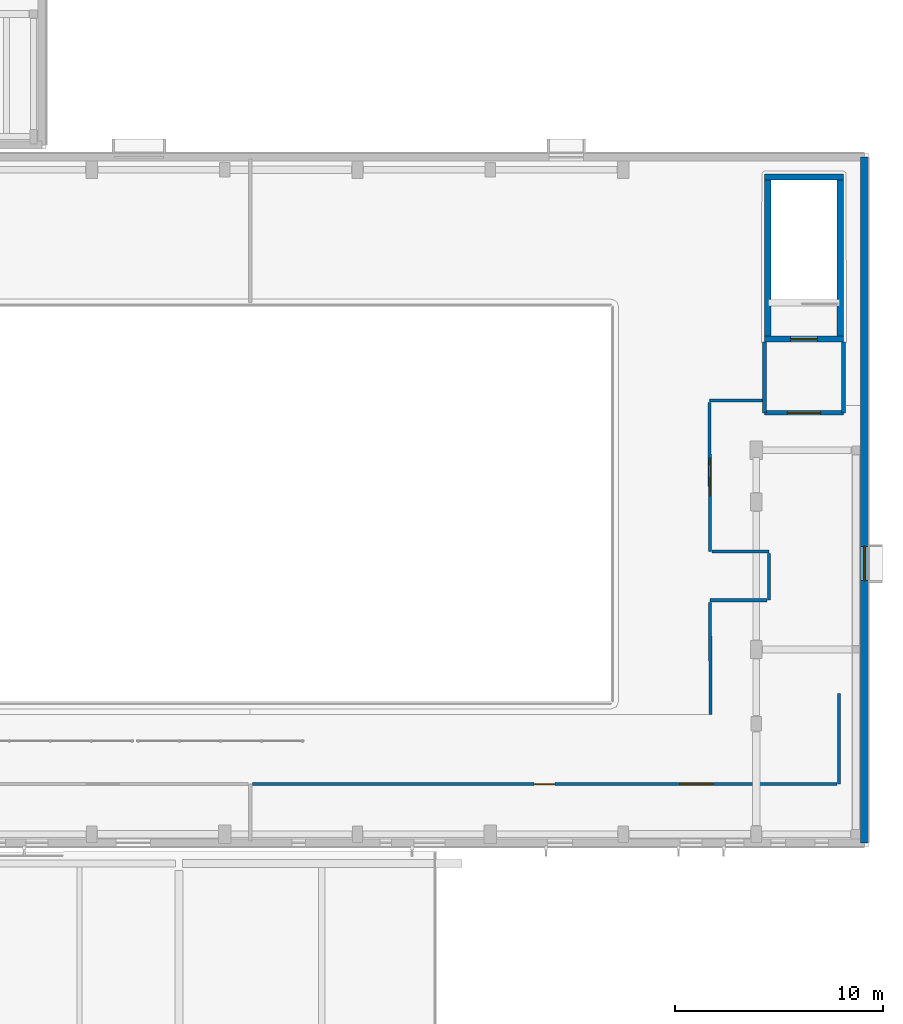
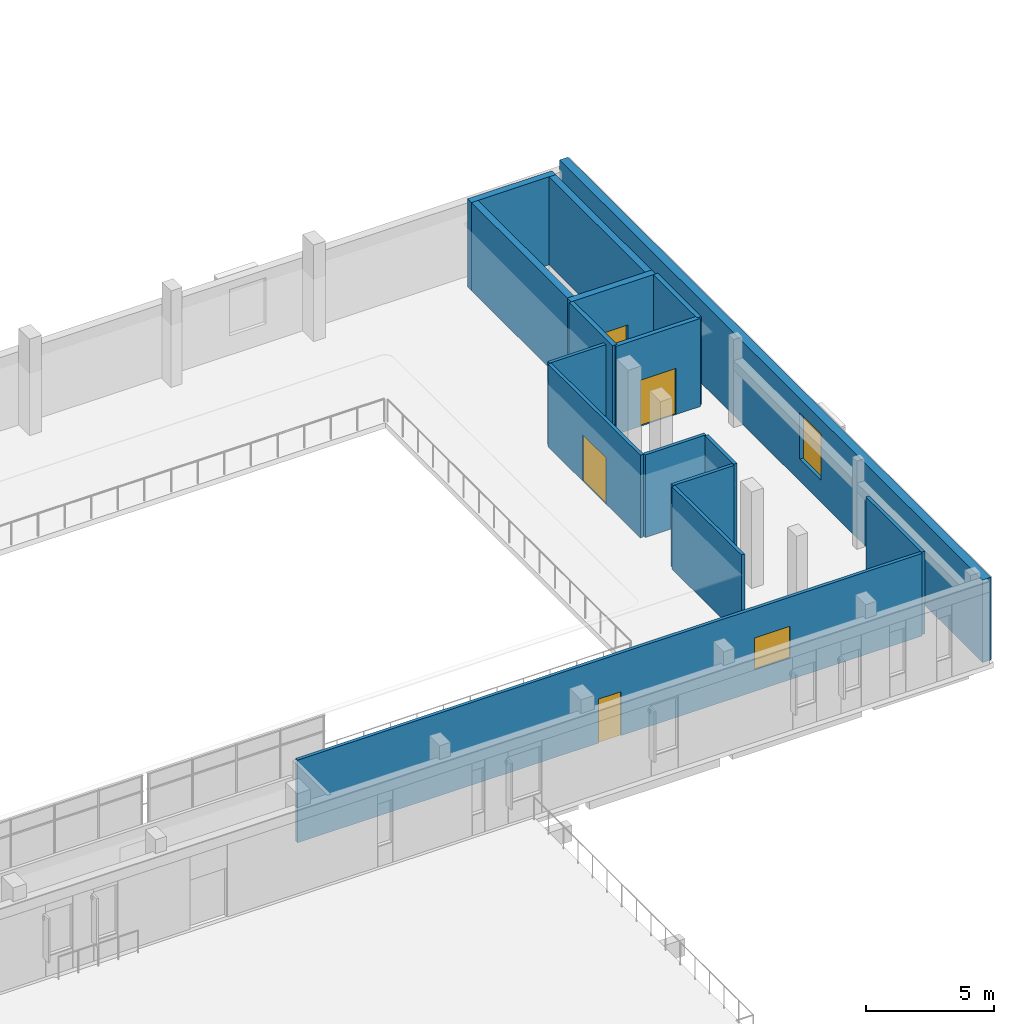
# One storey, part 48 of 73: 16 walls, 4 doors, 2 windows, 6 openings.
"""IFC4 building model written with IfcOpenShell, lengths in metres."""

import ifcopenshell
import ifcopenshell.guid

model = None  # the IFC model being written
_history = None  # IfcOwnerHistory: only IFC2X3 demands one
_inside = {}  # id of a spatial element -> (the spatial element, [elements in it])
_under = {}  # id of a project, library or spatial element -> (it, [spatial elements below it])
_declared = {}  # id of a project -> (the project, [libraries it declares])
_typed = {}  # id of a type object -> (the type object, [elements of that type])
_made_of = {}  # id of a material, layer set ... -> (it, [elements and type objects made of it])


def new_model(schema):
    """Start an empty IFC model of exactly this schema.

    Asked for "IFC4X3", IfcOpenShell would pick the latest addendum, in which some entities
    have other attributes; the version numbers below select the first issue.
    IFC2X3 requires an IfcOwnerHistory on every rooted entity: one is made here for all.
    """
    global model, _history
    if schema == "IFC4X3":
        model = ifcopenshell.file(schema_version=(4, 3, 0, 0))
    else:
        model = ifcopenshell.file(schema=schema)
    _inside.clear()
    _under.clear()
    _declared.clear()
    _typed.clear()
    _made_of.clear()
    _history = None
    if model.schema == "IFC2X3":
        org = make("IfcOrganization", Name="unknown")
        user = make(
            "IfcPersonAndOrganization",
            ThePerson=make("IfcPerson", FamilyName="unknown"),
            TheOrganization=org,
        )
        app = make(
            "IfcApplication",
            ApplicationDeveloper=org,
            Version="unknown",
            ApplicationFullName="unknown",
            ApplicationIdentifier="unknown",
        )
        _history = make(
            "IfcOwnerHistory",
            OwningUser=user,
            OwningApplication=app,
            ChangeAction="ADDED",
            CreationDate=0,
        )
    return model


def make(cls, **values):
    """One entity of the class cls with the attributes given. An attribute that is None is left unset."""
    return model.create_entity(
        cls, **{name: value for name, value in values.items() if value is not None}
    )


def rooted(cls, **values):
    """An entity with a GlobalId (a new one), such as an element, a storey or a relation."""
    return make(cls, GlobalId=ifcopenshell.guid.new(), OwnerHistory=_history, **values)


def si_unit(unit_type, name, prefix=None):
    """IfcSIUnit, for example si_unit("LENGTHUNIT", "METRE", prefix="MILLI")."""
    return make("IfcSIUnit", UnitType=unit_type, Prefix=prefix, Name=name)


def assignment(units):
    """IfcUnitAssignment: the units of a project."""
    return None if units is None else make("IfcUnitAssignment", Units=units)


def point(xyz):
    """IfcCartesianPoint."""
    return None if xyz is None else make("IfcCartesianPoint", Coordinates=xyz)


def direction(xyz):
    """IfcDirection."""
    return None if xyz is None else make("IfcDirection", DirectionRatios=xyz)


def frame(location, z_axis=None, x_axis=None):
    """IfcAxis2Placement3D, a coordinate frame: its origin and axes. An axis left out is left unset."""
    return make(
        "IfcAxis2Placement3D",
        Location=point(location),
        Axis=direction(z_axis),
        RefDirection=direction(x_axis),
    )


def frame_2d(location, x_axis=None):
    """IfcAxis2Placement2D, a coordinate frame in the plane: its origin and x axis."""
    return make(
        "IfcAxis2Placement2D", Location=point(location), RefDirection=direction(x_axis)
    )


def origin():
    """The frame at (0, 0, 0) with its axes left unset."""
    return frame((0.0, 0.0, 0.0))


def place(relative_to, where):
    """IfcLocalPlacement: puts the frame where relative to a parent placement (None: the world)."""
    return make(
        "IfcLocalPlacement", PlacementRelTo=relative_to, RelativePlacement=where
    )


def context(
    kind, dimensions, precision=None, world=None, true_north=None, identifier=None
):
    """IfcGeometricRepresentationContext, for example the 3D "Model" context."""
    return make(
        "IfcGeometricRepresentationContext",
        ContextIdentifier=identifier,
        ContextType=kind,
        CoordinateSpaceDimension=dimensions,
        Precision=precision,
        WorldCoordinateSystem=world,
        TrueNorth=true_north,
    )


def subcontext(parent, identifier, kind, view, scale=None):
    """IfcGeometricRepresentationSubContext, for example "Body" below "Model"."""
    return make(
        "IfcGeometricRepresentationSubContext",
        ContextIdentifier=identifier,
        ContextType=kind,
        ParentContext=parent,
        TargetScale=scale,
        TargetView=view,
    )


def project(units=None, contexts=None):
    """IfcProject with its units and contexts."""
    return rooted(
        "IfcProject",
        Name="project",
        RepresentationContexts=contexts,
        UnitsInContext=assignment(units),
    )


def spatial(cls, under=None, at=None, **own):
    """A site, building, storey or space (cls), placed at a placement, below another one or the project."""
    s = rooted(cls, ObjectPlacement=at, **own)
    if under is not None:
        _under.setdefault(under.id(), (under, []))[1].append(s)
    return s


def profile(cls, at=None, kind="AREA", **sizes):
    """A parametric profile (cls). Its sizes go by their IFC names, for example OverallWidth=200.0."""
    return make(cls, ProfileType=kind, Position=at, **sizes)


def rectangle(**sizes):
    """IfcRectangleProfileDef."""
    return profile("IfcRectangleProfileDef", **sizes)


def extrude(swept, where, along, depth):
    """IfcExtrudedAreaSolid: the profile swept, set in the frame where, extruded along a direction by depth."""
    return make(
        "IfcExtrudedAreaSolid",
        SweptArea=swept,
        Position=where,
        ExtrudedDirection=direction(along),
        Depth=depth,
    )


def shape(context_of_items, identifier, shape_type, items):
    """IfcShapeRepresentation: the items that make up one representation, for example the "Body"."""
    return make(
        "IfcShapeRepresentation",
        ContextOfItems=context_of_items,
        RepresentationIdentifier=identifier,
        RepresentationType=shape_type,
        Items=items,
    )


def material(Name=None, Category=None):
    """IfcMaterial."""
    return make("IfcMaterial", Name=Name, Category=Category)


def layer(
    of_material, thickness, ventilated=None, Name=None, Category=None, Priority=None
):
    """IfcMaterialLayer: one layer of a wall or slab, of a material (None: an air gap)."""
    return make(
        "IfcMaterialLayer",
        Material=of_material,
        LayerThickness=thickness,
        IsVentilated=ventilated,
        Name=Name,
        Category=Category,
        Priority=Priority,
    )


def layer_set(layers, Name=None):
    """IfcMaterialLayerSet."""
    return make("IfcMaterialLayerSet", MaterialLayers=layers, LayerSetName=Name)


def made_of(thing, what):
    """Note that an element or type object is made of a material, layer set ...; save() writes the relation."""
    if what is not None:
        _made_of.setdefault(what.id(), (what, []))[1].append(thing)
    return thing


def type_object(cls, material=None, **own):
    """A type object (cls), such as IfcWallType, which elements share."""
    return made_of(rooted(cls, **own), material)


def element(
    cls,
    number,
    at=None,
    inside=None,
    cuts=None,
    type_object=None,
    material=None,
    context=None,
    identifier="Body",
    shape_type=None,
    held_by="IfcProductDefinitionShape",
    body=None,
    shapes=None,
    **own,
):
    """One element of the class cls, such as IfcWall. Its Tag is "e" and its number.

    at: its placement. inside: the storey or other place that contains it. cuts: it is an
    opening in that element (IfcRelVoidsElement). A single representation is given by context,
    identifier, shape_type and body (its items); several are given by shapes. held_by: the class
    of the entity that holds the representations. save() writes the other relations.
    """
    e = rooted(cls, Tag="e%d" % number, ObjectPlacement=at, **own)
    if body is not None:
        shapes = [shape(context, identifier, shape_type, body)]
    if shapes is not None:
        e.Representation = make(held_by, Representations=shapes)
    if inside is not None:
        _inside.setdefault(inside.id(), (inside, []))[1].append(e)
    if cuts is not None:
        rooted(
            "IfcRelVoidsElement", RelatingBuildingElement=cuts, RelatedOpeningElement=e
        )
    if type_object is not None:
        _typed.setdefault(type_object.id(), (type_object, []))[1].append(e)
    return made_of(e, material)


def fill(opening, filler):
    """IfcRelFillsElement: the door or window that sits in an opening."""
    return rooted(
        "IfcRelFillsElement",
        RelatingOpeningElement=opening,
        RelatedBuildingElement=filler,
    )


def aggregate(whole, parts):
    """IfcRelAggregates: a whole, such as a stair, and the parts it consists of."""
    return rooted("IfcRelAggregates", RelatingObject=whole, RelatedObjects=parts)


def save(model, path):
    """Write the relations noted so far, then the file.

    IfcRelAggregates (storeys below a building ...), IfcRelContainedInSpatialStructure (elements
    in a storey), IfcRelDefinesByType, IfcRelAssociatesMaterial and IfcRelDeclares: one each for
    every whole, place, type object, material and project.
    """
    for whole, parts in _under.values():
        aggregate(whole, parts)
    for where, things in _inside.values():
        rooted(
            "IfcRelContainedInSpatialStructure",
            RelatedElements=things,
            RelatingStructure=where,
        )
    for kind, things in _typed.values():
        rooted("IfcRelDefinesByType", RelatedObjects=things, RelatingType=kind)
    for what, things in _made_of.values():
        rooted("IfcRelAssociatesMaterial", RelatedObjects=things, RelatingMaterial=what)
    for by, libraries in _declared.values():
        rooted("IfcRelDeclares", RelatingContext=by, RelatedDefinitions=libraries)
    model.write(path)


model = new_model("IFC4")

# Units and contexts
model_context = context("Model", 3, precision=1e-05, world=origin(), true_north=direction((0.0, 1.0)))
body_context = subcontext(model_context, "Body", "Model", "MODEL_VIEW")
ifc_project = project(units=[si_unit("LENGTHUNIT", "METRE"), si_unit("AREAUNIT", "SQUARE_METRE"), si_unit("VOLUMEUNIT", "CUBIC_METRE"), si_unit("PLANEANGLEUNIT", "RADIAN"), si_unit("MASSUNIT", "GRAM", prefix="KILO")], contexts=[model_context])

# Site, building, storey
site_placement = place(None, origin())
site = spatial("IfcSite", under=ifc_project, at=site_placement, CompositionType="ELEMENT")
building_placement = place(site_placement, origin())
building = spatial("IfcBuilding", under=site, at=building_placement, Name="Mzevani Central Library", CompositionType="ELEMENT")
storey_placement = place(building_placement, frame((0.0, 0.0, 9.60009765625)))
storey = spatial("IfcBuildingStorey", under=building, at=storey_placement, Name="L02", CompositionType="ELEMENT", Elevation=9.60009765625)

# Wall
ifc_material_1 = material(Name="Concrete C35/45", Category="concrete")
ifc_layer_1 = layer(ifc_material_1, 0.199951171875, Name="Compartment Wall 200")
ifc_layer_set_1 = layer_set([ifc_layer_1], Name="Concrete C35/45")
wall_type_1 = type_object("IfcWallType", Name="Compartment Wall 200", PredefinedType="STANDARD", material=ifc_layer_set_1)
wall_1_placement = place(storey_placement, frame((159.39990234375, 66.800048828125, 0.0), z_axis=(0.0, 0.0, 1.0), x_axis=(0.0, -1.0, 0.0)))
element("IfcWall", 1, at=wall_1_placement, inside=storey, type_object=wall_type_1, Name="L02 Stair Vestibule C1B Enclosure Wall 1", PredefinedType="STANDARD", context=body_context, shape_type="SweptSolid", body=[
    extrude(rectangle(XDim=3.400146484375, YDim=0.199951171875, at=frame_2d((1.7001953125, 0.0))), origin(), (0.0, 0.0, 1.0), 4.199951171875),
])

# Wall, opening, door
wall_2_placement = place(storey_placement, frame((159.39990234375, 63.39990234375, 0.0), z_axis=(0.0, 0.0, 1.0), x_axis=(1.0, 0.0, 0.0)))
wall_2 = element("IfcWall", 2, at=wall_2_placement, inside=storey, type_object=wall_type_1, Name="L02 Stair Vestibule C1B Enclosure Wall 2", PredefinedType="STANDARD", context=body_context, shape_type="SweptSolid", body=[
    extrude(rectangle(XDim=3.800048828125, YDim=0.199951171875, at=frame_2d((1.89990234375, 0.0))), origin(), (0.0, 0.0, 1.0), 4.199951171875),
])
opening_1_placement = place(wall_2_placement, frame((1.10009765625, 0.0, 0.0)))
opening_1 = element("IfcOpeningElement", 3, at=opening_1_placement, cuts=wall_2, Name="Opening FD-02", PredefinedType="OPENING", context=body_context, shape_type="SweptSolid", body=[
    extrude(rectangle(XDim=1.60009765625, YDim=2.199951171875, at=frame_2d((0.800048828125, 1.10009765625))), frame((0.0, 0.10986328125, 0.0), z_axis=(0.0, -1.0, 0.0), x_axis=(1.0, 0.0, 0.0)), (0.0, 0.0, 1.0), 0.219970703125),
])
ifc_material_2 = material(Name="Fire-rated steel door assembly", Category="steel")
door_type_1 = type_object("IfcDoorType", Name="Fire Lobby Double Door 1600x2200", OperationType="NOTDEFINED", PredefinedType="DOOR", material=ifc_material_2)
door_1_placement = place(opening_1_placement, origin())
door_1 = element("IfcDoor", 4, at=door_1_placement, inside=storey, type_object=door_type_1, Name="L02 Stair Vestibule C1B Smoke-Control Door", OperationType="DOUBLE_DOOR_SINGLE_SWING", OverallHeight=2.199951171875, OverallWidth=1.60009765625, PredefinedType="DOOR", context=body_context, shape_type="SweptSolid", body=[
    extrude(rectangle(XDim=1.60009765625, YDim=2.199951171875, at=frame_2d((0.800048828125, 1.10009765625))), frame((0.0, 0.02490234375, 0.0), z_axis=(0.0, -1.0, 0.0), x_axis=(1.0, 0.0, 0.0)), (0.0, 0.0, 1.0), 0.050048828125),
])
fill(opening_1, door_1)

# Wall
wall_3_placement = place(storey_placement, frame((163.199951171875, 63.39990234375, 0.0), z_axis=(0.0, 0.0, 1.0), x_axis=(0.0, 1.0, 0.0)))
element("IfcWall", 5, at=wall_3_placement, inside=storey, type_object=wall_type_1, Name="L02 Stair Vestibule C1B Enclosure Wall 3", PredefinedType="STANDARD", context=body_context, shape_type="SweptSolid", body=[
    extrude(rectangle(XDim=3.400146484375, YDim=0.199951171875, at=frame_2d((1.7001953125, 0.0))), origin(), (0.0, 0.0, 1.0), 4.199951171875),
])

# Wall, opening, door
ifc_material_3 = material(Name="Concrete C40/50", Category="concrete")
ifc_layer_2 = layer(ifc_material_3, 0.300048828125, Name="Core Shear Wall 300")
ifc_layer_set_2 = layer_set([ifc_layer_2], Name="Concrete C40/50")
wall_type_2 = type_object("IfcWallType", Name="Core Shear Wall 300", PredefinedType="SHEAR", material=ifc_layer_set_2)
wall_4_placement = place(storey_placement, frame((163.199951171875, 66.949951171875, 0.0), z_axis=(0.0, 0.0, 1.0), x_axis=(-1.0, 0.0, 0.0)))
wall_4 = element("IfcWall", 6, at=wall_4_placement, inside=storey, type_object=wall_type_2, Name="L02 Core C1B Reading Hall East Shear Wall (-y)", PredefinedType="SHEAR", context=body_context, shape_type="SweptSolid", body=[
    extrude(rectangle(XDim=3.800048828125, YDim=0.300048828125, at=frame_2d((1.89990234375, 0.0))), origin(), (0.0, 0.0, 1.0), 4.199951171875),
])
opening_2_placement = place(wall_4_placement, frame((1.25, 0.0, 0.0)))
opening_2 = element("IfcOpeningElement", 7, at=opening_2_placement, cuts=wall_4, Name="Opening FD-01", PredefinedType="OPENING", context=body_context, shape_type="SweptSolid", body=[
    extrude(rectangle(XDim=1.300048828125, YDim=2.199951171875, at=frame_2d((0.64990234375, 1.10009765625))), frame((0.0, 0.16015625, 0.0), z_axis=(0.0, -1.0, 0.0), x_axis=(1.0, 0.0, 0.0)), (0.0, 0.0, 1.0), 0.320068359375),
])
door_type_2 = type_object("IfcDoorType", Name="Fire Stair Door 1300x2200", OperationType="NOTDEFINED", PredefinedType="DOOR", material=ifc_material_2)
door_2_placement = place(opening_2_placement, origin())
door_2 = element("IfcDoor", 8, at=door_2_placement, inside=storey, type_object=door_type_2, Name="L02 ST-02 Protected Exit Stair Door", OperationType="SINGLE_SWING_LEFT", OverallHeight=2.199951171875, OverallWidth=1.300048828125, PredefinedType="DOOR", context=body_context, shape_type="SweptSolid", body=[
    extrude(rectangle(XDim=1.300048828125, YDim=2.199951171875, at=frame_2d((0.64990234375, 1.10009765625))), frame((0.0, 0.02490234375, 0.0), z_axis=(0.0, -1.0, 0.0), x_axis=(1.0, 0.0, 0.0)), (0.0, 0.0, 1.0), 0.050048828125),
])
fill(opening_2, door_2)

# Walls
wall_5_placement = place(storey_placement, frame((159.550048828125, 66.800048828125, 0.0), z_axis=(0.0, 0.0, 1.0), x_axis=(0.0, 1.0, 0.0)))
element("IfcWall", 9, at=wall_5_placement, inside=storey, type_object=wall_type_2, Name="L02 Core C1B Reading Hall East Shear Wall (-x)", PredefinedType="SHEAR", context=body_context, shape_type="SweptSolid", body=[
    extrude(rectangle(XDim=8.099853515625, YDim=0.300048828125, at=frame_2d((4.0498046875, 0.0))), origin(), (0.0, 0.0, 1.0), 4.199951171875),
])
wall_6_placement = place(storey_placement, frame((159.39990234375, 74.75, 0.0), z_axis=(0.0, 0.0, 1.0), x_axis=(1.0, 0.0, 0.0)))
element("IfcWall", 10, at=wall_6_placement, inside=storey, type_object=wall_type_2, Name="L02 Core C1B Reading Hall East Shear Wall (+y)", PredefinedType="SHEAR", context=body_context, shape_type="SweptSolid", body=[
    extrude(rectangle(XDim=3.800048828125, YDim=0.300048828125, at=frame_2d((1.89990234375, 0.0))), origin(), (0.0, 0.0, 1.0), 4.199951171875),
])
wall_7_placement = place(storey_placement, frame((163.050048828125, 74.89990234375, 0.0), z_axis=(0.0, 0.0, 1.0), x_axis=(0.0, -1.0, 0.0)))
element("IfcWall", 11, at=wall_7_placement, inside=storey, type_object=wall_type_2, Name="L02 Core C1B Reading Hall East Shear Wall (+x)", PredefinedType="SHEAR", context=body_context, shape_type="SweptSolid", body=[
    extrude(rectangle(XDim=8.099853515625, YDim=0.300048828125, at=frame_2d((4.0498046875, 0.0))), origin(), (0.0, 0.0, 1.0), 4.199951171875),
])

# Wall, opening, window
ifc_material_4 = material(Name="Precast concrete C40/50", Category="concrete")
ifc_layer_3 = layer(ifc_material_4, 0.3798828125, Name="Exterior Thermal Concrete Wall 380")
ifc_layer_set_3 = layer_set([ifc_layer_3], Name="Precast concrete C40/50")
wall_type_3 = type_object("IfcWallType", Name="Exterior Thermal Concrete Wall 380", PredefinedType="STANDARD", material=ifc_layer_set_3)
wall_8_placement = place(storey_placement, frame((164.2099609375, 75.7099609375, 0.0), z_axis=(0.0, 0.0, 1.0), x_axis=(0.0, -1.0, 0.0)))
wall_8 = element("IfcWall", 12, at=wall_8_placement, inside=storey, type_object=wall_type_3, Name="L02 V1 Exterior Thermal Wall (15)", PredefinedType="STANDARD", context=body_context, shape_type="SweptSolid", body=[
    extrude(rectangle(XDim=33.02001953125, YDim=0.3798828125, at=frame_2d((16.510009765625, 0.0))), origin(), (0.0, 0.0, 1.0), 3.93994140625),
])
opening_3_placement = place(wall_8_placement, frame((18.745361328125, 0.0, 1.050048828125)))
opening_3 = element("IfcOpeningElement", 13, at=opening_3_placement, cuts=wall_8, Name="Opening W-13", PredefinedType="OPENING", context=body_context, shape_type="SweptSolid", body=[
    extrude(rectangle(XDim=1.64990234375, YDim=2.199951171875, at=frame_2d((0.824951171875, 1.10009765625))), frame((0.0, 0.199951171875, 0.0), z_axis=(0.0, -1.0, 0.0), x_axis=(1.0, 0.0, 0.0)), (0.0, 0.0, 1.0), 0.39990234375),
])
ifc_material_5 = material(Name="Low-E triple glazing glass", Category="glass")
window_type_1 = type_object("IfcWindowType", Name="Deep Reveal Window 1650x2200", PartitioningType="SINGLE_PANEL", PredefinedType="WINDOW", material=ifc_material_5)
window_1_placement = place(opening_3_placement, origin())
window_1 = element("IfcWindow", 14, at=window_1_placement, inside=storey, type_object=window_type_1, Name="L02 V1 Deep-Reveal Window W-13 (120)", OverallHeight=2.199951171875, OverallWidth=1.64990234375, PartitioningType="SINGLE_PANEL", PredefinedType="WINDOW", context=body_context, shape_type="SweptSolid", body=[
    extrude(rectangle(XDim=1.64990234375, YDim=2.199951171875, at=frame_2d((0.824951171875, 1.10009765625))), frame((0.0, 0.030029296875, 0.0), z_axis=(0.0, -1.0, 0.0), x_axis=(1.0, 0.0, 0.0)), (0.0, 0.0, 1.0), 0.06005859375),
])
fill(opening_3, window_1)

# Wall
ifc_material_6 = material(Name="Fire-rated gypsum board", Category="gypsum")
ifc_layer_4 = layer(ifc_material_6, 0.14990234375, Name="Partition Study 150")
ifc_layer_set_4 = layer_set([ifc_layer_4], Name="Fire-rated gypsum board")
wall_type_4 = type_object("IfcWallType", Name="Partition Study 150", PredefinedType="PARTITIONING", material=ifc_layer_set_4)
wall_9_placement = place(storey_placement, frame((159.300048828125, 64.0, 0.0), z_axis=(0.0, 0.0, 1.0), x_axis=(-1.0, 0.0, 0.0)))
element("IfcWall", 15, at=wall_9_placement, inside=storey, type_object=wall_type_4, Name="L02 V1 Partition IW-03 (383)", PredefinedType="PARTITIONING", context=body_context, shape_type="SweptSolid", body=[
    extrude(rectangle(XDim=2.550048828125, YDim=0.14990234375, at=frame_2d((1.27490234375, 0.0))), origin(), (0.0, 0.0, 1.0), 3.93994140625),
])

# Wall, opening, door
wall_10_placement = place(storey_placement, frame((156.750244140625, 63.89990234375, 0.0), z_axis=(0.0, 0.0, 1.0), x_axis=(0.003436756619, -0.999994094335, 0.0)))
wall_10 = element("IfcWall", 16, at=wall_10_placement, inside=storey, type_object=wall_type_4, Name="L02 V1 Partition IW-03 (384)", PredefinedType="PARTITIONING", context=body_context, shape_type="SweptSolid", body=[
    extrude(rectangle(XDim=7.1748046875, YDim=0.14990234375, at=frame_2d((3.58740234375, 0.0))), origin(), (0.0, 0.0, 1.0), 3.93994140625),
])
opening_4_placement = place(wall_10_placement, frame((2.6875, 0.0, 0.0)))
opening_4 = element("IfcOpeningElement", 17, at=opening_4_placement, cuts=wall_10, Name="Opening FD-06", PredefinedType="OPENING", context=body_context, shape_type="SweptSolid", body=[
    extrude(rectangle(XDim=1.800048828125, YDim=2.199951171875, at=frame_2d((0.89990234375, 1.10009765625))), frame((0.0, 0.0849609375, 0.0), z_axis=(0.0, -1.0, 0.0), x_axis=(1.0, 0.0, 0.0)), (0.0, 0.0, 1.0), 0.169921875),
])
door_type_3 = type_object("IfcDoorType", Name="Fire Corridor Double Door 1800x2200", OperationType="NOTDEFINED", PredefinedType="DOOR", material=ifc_material_2)
door_3_placement = place(opening_4_placement, origin())
door_3 = element("IfcDoor", 18, at=door_3_placement, inside=storey, type_object=door_type_3, Name="L02 Art and Architecture Folio Salon 3 Door", OperationType="DOUBLE_DOOR_SINGLE_SWING", OverallHeight=2.199951171875, OverallWidth=1.800048828125, PredefinedType="DOOR", context=body_context, shape_type="SweptSolid", body=[
    extrude(rectangle(XDim=1.800048828125, YDim=2.199951171875, at=frame_2d((0.89990234375, 1.10009765625))), frame((0.0, 0.02490234375, 0.0), z_axis=(0.0, -1.0, 0.0), x_axis=(1.0, 0.0, 0.0)), (0.0, 0.0, 1.0), 0.050048828125),
])
fill(opening_4, door_3)

# Walls
wall_11_placement = place(storey_placement, frame((156.875, 56.72509765625, 0.0), z_axis=(0.0, 0.0, 1.0), x_axis=(1.0, 0.0, 0.0)))
element("IfcWall", 19, at=wall_11_placement, inside=storey, type_object=wall_type_4, Name="L02 V1 Partition IW-03 (385)", PredefinedType="PARTITIONING", context=body_context, shape_type="SweptSolid", body=[
    extrude(rectangle(XDim=2.7451171875, YDim=0.14990234375, at=frame_2d((1.37255859375, 0.0))), origin(), (0.0, 0.0, 1.0), 3.93994140625),
])
wall_12_placement = place(storey_placement, frame((159.6201171875, 56.625, 0.0), z_axis=(0.0, 0.0, 1.0), x_axis=(0.0, -1.0, 0.0)))
element("IfcWall", 20, at=wall_12_placement, inside=storey, type_object=wall_type_4, Name="L02 V1 Partition IW-03 (386)", PredefinedType="PARTITIONING", context=body_context, shape_type="SweptSolid", body=[
    extrude(rectangle(XDim=2.25, YDim=0.14990234375, at=frame_2d((1.125, 0.0))), origin(), (0.0, 0.0, 1.0), 3.93994140625),
])
wall_13_placement = place(storey_placement, frame((159.52001953125, 54.375, 0.0), z_axis=(0.0, 0.0, 1.0), x_axis=(-1.0, 0.0, 0.0)))
element("IfcWall", 21, at=wall_13_placement, inside=storey, type_object=wall_type_4, Name="L02 V1 Partition IW-03 (387)", PredefinedType="PARTITIONING", context=body_context, shape_type="SweptSolid", body=[
    extrude(rectangle(XDim=2.7451171875, YDim=0.14990234375, at=frame_2d((1.37255859375, 0.0))), origin(), (0.0, 0.0, 1.0), 3.93994140625),
])
wall_14_placement = place(storey_placement, frame((156.775390625, 54.27490234375, 0.0), z_axis=(0.0, 0.0, 1.0), x_axis=(0.004570501633, -0.999989555203, 0.0)))
element("IfcWall", 22, at=wall_14_placement, inside=storey, type_object=wall_type_4, Name="L02 V1 Partition IW-03 (388)", PredefinedType="PARTITIONING", context=body_context, shape_type="SweptSolid", body=[
    extrude(rectangle(XDim=5.39501953125, YDim=0.14990234375, at=frame_2d((2.697509765625, 0.0))), origin(), (0.0, 0.0, 1.0), 3.93994140625),
])
wall_15_placement = place(storey_placement, frame((162.97998046875, 45.52001953125, 0.0), z_axis=(0.0, 0.0, 1.0), x_axis=(0.0, 1.0, 0.0)))
element("IfcWall", 23, at=wall_15_placement, inside=storey, type_object=wall_type_4, Name="L02 V1 Partition IW-03 (389)", PredefinedType="PARTITIONING", context=body_context, shape_type="SweptSolid", body=[
    extrude(rectangle(XDim=4.35498046875, YDim=0.14990234375, at=frame_2d((2.177490234375, 0.0))), origin(), (0.0, 0.0, 1.0), 3.93994140625),
])

# Wall, openings, window, door
wall_16_placement = place(storey_placement, frame((134.735107421875, 45.52001953125, 0.0), z_axis=(0.0, 0.0, 1.0), x_axis=(1.0, 0.0, 0.0)))
wall_16 = element("IfcWall", 24, at=wall_16_placement, inside=storey, type_object=wall_type_4, Name="L02 V1 Partition IW-03 (390)", PredefinedType="PARTITIONING", context=body_context, shape_type="SweptSolid", body=[
    extrude(rectangle(XDim=28.144775390625, YDim=0.14990234375, at=frame_2d((14.072265625, 0.0))), origin(), (0.0, 0.0, 1.0), 3.93994140625),
])
opening_5_placement = place(wall_16_placement, frame((13.572509765625, 0.0, 0.0)))
opening_5 = element("IfcOpeningElement", 25, at=opening_5_placement, cuts=wall_16, Name="Opening ID-03", PredefinedType="OPENING", context=body_context, shape_type="SweptSolid", body=[
    extrude(rectangle(XDim=1.0, YDim=2.10009765625, at=frame_2d((0.5, 1.050048828125))), frame((0.0, 0.0849609375, 0.0), z_axis=(0.0, -1.0, 0.0), x_axis=(1.0, 0.0, 0.0)), (0.0, 0.0, 1.0), 0.169921875),
])
opening_6_placement = place(wall_16_placement, frame((20.590087890625, 0.0, 1.050048828125)))
opening_6 = element("IfcOpeningElement", 26, at=opening_6_placement, cuts=wall_16, Name="Opening IW-W01", PredefinedType="OPENING", context=body_context, shape_type="SweptSolid", body=[
    extrude(rectangle(XDim=1.60009765625, YDim=1.5, at=frame_2d((0.800048828125, 0.75))), frame((0.0, 0.0849609375, 0.0), z_axis=(0.0, -1.0, 0.0), x_axis=(1.0, 0.0, 0.0)), (0.0, 0.0, 1.0), 0.169921875),
])
window_type_2 = type_object("IfcWindowType", Name="Interior Borrowed Light 1600x1500", PartitioningType="SINGLE_PANEL", PredefinedType="WINDOW", material=ifc_material_5)
window_2_placement = place(opening_6_placement, origin())
window_2 = element("IfcWindow", 27, at=window_2_placement, inside=storey, type_object=window_type_2, Name="L02 Sheet Music and Listening Room 4 Acoustic Borrowed Light", OverallHeight=1.5, OverallWidth=1.60009765625, PartitioningType="SINGLE_PANEL", PredefinedType="WINDOW", context=body_context, shape_type="SweptSolid", body=[
    extrude(rectangle(XDim=1.60009765625, YDim=1.5, at=frame_2d((0.800048828125, 0.75))), frame((0.0, 0.030029296875, 0.0), z_axis=(0.0, -1.0, 0.0), x_axis=(1.0, 0.0, 0.0)), (0.0, 0.0, 1.0), 0.06005859375),
])
fill(opening_6, window_2)
ifc_material_7 = material(Name="Fire-rated solid oak leaf")
door_type_4 = type_object("IfcDoorType", Name="Quiet Study Carrel Door 1000x2100", OperationType="NOTDEFINED", PredefinedType="DOOR", material=ifc_material_7)
door_4_placement = place(opening_5_placement, origin())
door_4 = element("IfcDoor", 28, at=door_4_placement, inside=storey, type_object=door_type_4, Name="L02 Sheet Music and Listening Room 4 Door", OperationType="SINGLE_SWING_RIGHT", OverallHeight=2.10009765625, OverallWidth=1.0, PredefinedType="DOOR", context=body_context, shape_type="SweptSolid", body=[
    extrude(rectangle(XDim=1.0, YDim=2.10009765625, at=frame_2d((0.5, 1.050048828125))), frame((0.0, 0.02490234375, 0.0), z_axis=(0.0, -1.0, 0.0), x_axis=(1.0, 0.0, 0.0)), (0.0, 0.0, 1.0), 0.050048828125),
])
fill(opening_5, door_4)

save(model, "model.ifc")
